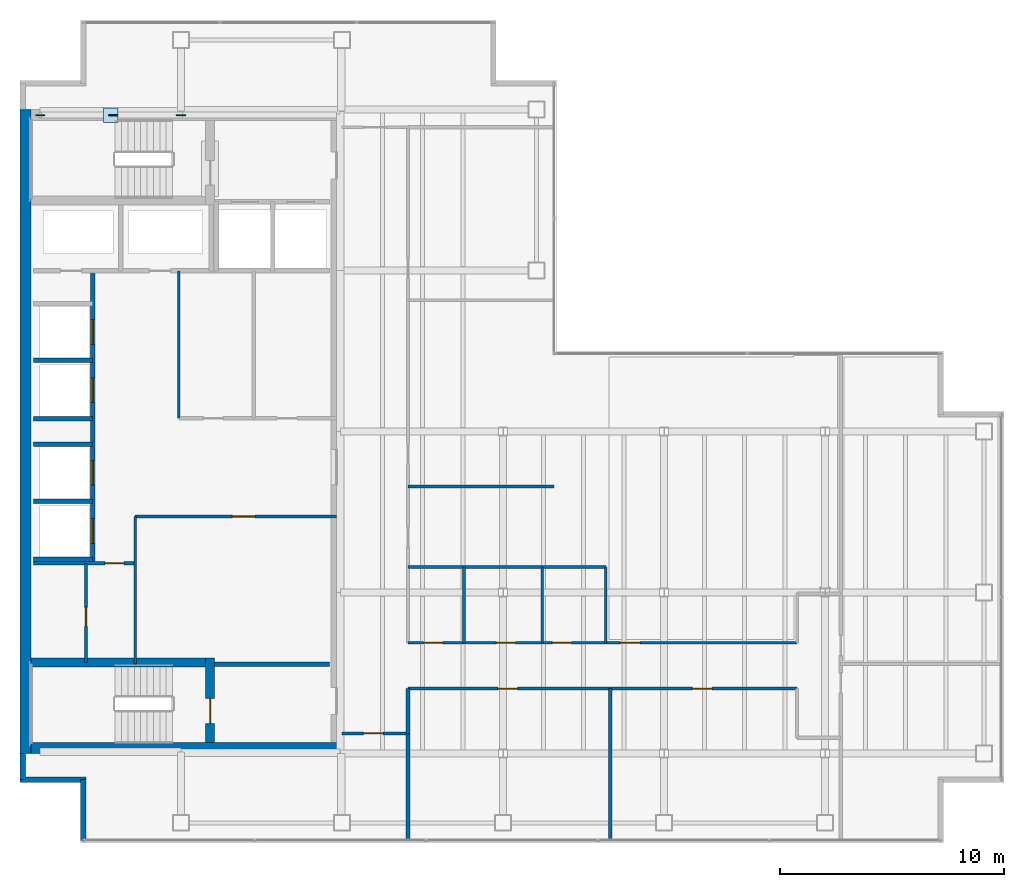
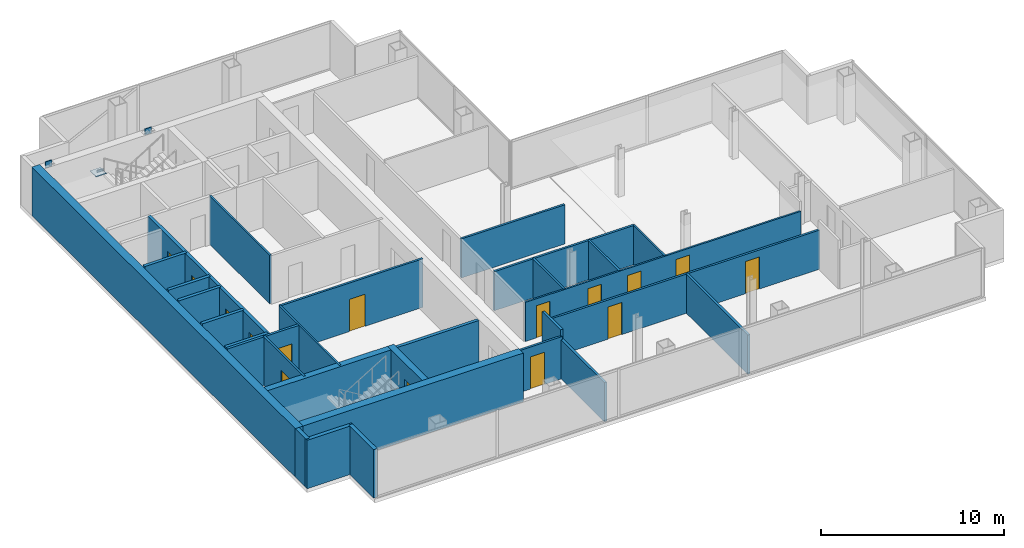
# One storey, part 20 of 23: 30 walls, 15 doors, 4 plates, 15 openings.
"""IFC4 building model written with IfcOpenShell, lengths in metres."""

from ifc_helpers import new_model, si_unit, direction, frame, frame_2d, origin, origin_2d, place, context, subcontext, project, spatial, rectangle, extrude, material, layer, layer_set, type_object, element, fill, save


model = new_model("IFC4")

# Units and contexts
model_context = context("Model", 3, precision=1e-05, world=origin(), true_north=direction((0.0, 1.0)))
body_context = subcontext(model_context, "Body", "Model", "MODEL_VIEW")
ifc_project = project(units=[si_unit("LENGTHUNIT", "METRE"), si_unit("AREAUNIT", "SQUARE_METRE"), si_unit("VOLUMEUNIT", "CUBIC_METRE"), si_unit("PLANEANGLEUNIT", "RADIAN"), si_unit("MASSUNIT", "GRAM", prefix="KILO")], contexts=[model_context])

# Site, building, storey
site_placement = place(None, origin())
site = spatial("IfcSite", under=ifc_project, at=site_placement, CompositionType="ELEMENT")
building_placement = place(site_placement, origin())
building = spatial("IfcBuilding", under=site, at=building_placement, Name="Cobrela Telecom Tower", CompositionType="ELEMENT")
storey_placement = place(building_placement, frame((0.0, 0.0, 225.75)))
storey = spatial("IfcBuildingStorey", under=building, at=storey_placement, Name="L58", CompositionType="ELEMENT", Elevation=225.75)

# Plates
ifc_material_1 = material(Name="Steel ASTM A572 Grade 50", Category="steel")
ifc_layer_1 = layer(ifc_material_1, 0.0419921875)
ifc_layer_set_1 = layer_set([ifc_layer_1], Name="Steel ASTM A572 Grade 50")
plate_type = type_object("IfcPlateType", Name="PLT-NODE-ND1", PredefinedType="USERDEFINED", material=ifc_layer_set_1)
for number, where, z_axis, x_axis, name in (
    (1, (7.199951171875, 35.75, 3.0751953125), (0.0, 0.0, 1.0), (1.0, 0.0, 0.0), "Steel node plate PLT-MBR-EXO-L58-N1-A-1"),
    (2, (4.173828125, 35.75, 1.349609375), (0.0, 0.0, 1.0), (-1.0, 0.0, 0.0), "Steel node plate PLT-MBR-EXO-L58-N1-B1-1"),
    (3, (0.89990234375, 35.75, 3.0751953125), (0.0, 0.0, 1.0), (-1.0, 0.0, 0.0), "Steel node plate PLT-MBR-EXO-L58-N1-B2-1"),
):
    element("IfcPlate", number, at=place(storey_placement, frame(where, z_axis=z_axis, x_axis=x_axis)), inside=storey, type_object=plate_type, Name=name, ObjectType="GUSSET PLATE", PredefinedType="USERDEFINED", context=body_context, shape_type="SweptSolid", body=[
        extrude(rectangle(XDim=0.409912109375, YDim=0.044921875, at=origin_2d()), origin(), (0.0, 0.0, 1.0), 0.409912109375),
    ])
plate_placement = place(storey_placement, frame((4.050048828125, 35.75, 1.59765625), z_axis=(0.0, 0.0, 1.0), x_axis=(1.0, 0.0, 0.0)))
element("IfcPlate", 4, at=plate_placement, inside=storey, type_object=plate_type, Name="L58 Core Flange Steel X-Brace Central X-Crossing Gusset Plate", ObjectType="GUSSET PLATE", PredefinedType="USERDEFINED", context=body_context, shape_type="SweptSolid", body=[
    extrude(rectangle(XDim=0.64990234375, YDim=0.64990234375, at=origin_2d()), origin(), (0.0, 0.0, 1.0), 0.044921875),
])

# Walls
ifc_material_2 = material(Name="Concrete C40/50", Category="concrete")
ifc_layer_2 = layer(ifc_material_2, 0.5)
ifc_layer_set_2 = layer_set([ifc_layer_2], Name="Concrete C40/50")
wall_type_1 = type_object("IfcWallType", Name="WALL-CORE-C40-500", PredefinedType="SHEAR", material=ifc_layer_set_2)
wall_1_placement = place(storey_placement, frame((0.25, 7.199951171875, 0.0), z_axis=(0.0, 0.0, 1.0), x_axis=(0.0, 1.0, 0.0)))
element("IfcWall", 5, at=wall_1_placement, inside=storey, type_object=wall_type_1, Name="L58 West Core Shear Wall", PredefinedType="SHEAR", context=body_context, shape_type="SweptSolid", body=[
    extrude(rectangle(XDim=28.800048828125, YDim=0.5, at=frame_2d((14.39990234375, 0.0))), origin(), (0.0, 0.0, 1.0), 3.239990234375),
])
wall_2_placement = place(storey_placement, frame((0.5, 7.449951171875, 0.0), z_axis=(0.0, 0.0, 1.0), x_axis=(1.0, 0.0, 0.0)))
element("IfcWall", 6, at=wall_2_placement, inside=storey, type_object=wall_type_1, Name="L58 South Core Shear Wall", PredefinedType="SHEAR", context=body_context, shape_type="SweptSolid", body=[
    extrude(rectangle(XDim=13.89990234375, YDim=0.5, at=frame_2d((6.949951171875, 0.0))), origin(), (0.0, 0.0, 1.0), 3.239990234375),
])
ifc_layer_3 = layer(ifc_material_2, 0.239990234375)
ifc_layer_set_3 = layer_set([ifc_layer_3], Name="Concrete C40/50")
wall_type_2 = type_object("IfcWallType", Name="WALL-EXT-300", PredefinedType="STANDARD", material=ifc_layer_set_3)
wall_3_placement = place(storey_placement, frame((2.830078125, 3.320068359375, 0.0), z_axis=(0.0, 0.0, 1.0), x_axis=(0.0, 1.0, 0.0)))
element("IfcWall", 7, at=wall_3_placement, inside=storey, type_object=wall_type_2, Name="L58 Insulated Facade Wall 01", PredefinedType="STANDARD", context=body_context, shape_type="SweptSolid", body=[
    extrude(rectangle(XDim=2.7099609375, YDim=0.239990234375, at=frame_2d((1.35498046875, 0.0))), origin(), (0.0, 0.0, 1.0), 3.239990234375),
])
wall_4_placement = place(storey_placement, frame((2.949951171875, 6.030029296875, 0.0), z_axis=(0.0, 0.0, 1.0), x_axis=(-1.0, 0.0, 0.0)))
element("IfcWall", 8, at=wall_4_placement, inside=storey, type_object=wall_type_2, Name="L58 Insulated Facade Wall 02", PredefinedType="STANDARD", context=body_context, shape_type="SweptSolid", body=[
    extrude(rectangle(XDim=2.949951171875, YDim=0.239990234375, at=frame_2d((1.47509765625, 0.0))), origin(), (0.0, 0.0, 1.0), 3.239990234375),
])
wall_5_placement = place(storey_placement, frame((0.1201171875, 6.030029296875, 0.0), z_axis=(0.0, 0.0, 1.0), x_axis=(0.0, 1.0, 0.0)))
element("IfcWall", 9, at=wall_5_placement, inside=storey, type_object=wall_type_2, Name="L58 Insulated Facade Wall 03", PredefinedType="STANDARD", context=body_context, shape_type="SweptSolid", body=[
    extrude(rectangle(XDim=1.169921875, YDim=0.239990234375, at=frame_2d((0.5849609375, 0.0))), origin(), (0.0, 0.0, 1.0), 3.239990234375),
])
ifc_material_3 = material(Name="Fire-Rated Gypsum Plasterboard")
ifc_layer_4 = layer(ifc_material_3, 0.110107421875)
ifc_layer_set_4 = layer_set([ifc_layer_4], Name="Fire-Rated Gypsum Plasterboard")
wall_type_3 = type_object("IfcWallType", Name="WALL-PART-110", PredefinedType="PARTITIONING", material=ifc_layer_set_4)
wall_6_placement = place(storey_placement, frame((7.10009765625, 22.199951171875, 0.0), z_axis=(0.0, 0.0, 1.0), x_axis=(0.0, 1.0, 0.0)))
element("IfcWall", 10, at=wall_6_placement, inside=storey, type_object=wall_type_3, Name="L58 Interior Partition CW-RECL-W", PredefinedType="PARTITIONING", context=body_context, shape_type="SweptSolid", body=[
    extrude(rectangle(XDim=6.580078125, YDim=0.110107421875, at=frame_2d((3.2900390625, 0.0))), origin(), (0.0, 0.0, 1.0), 3.239990234375),
])
wall_7_placement = place(storey_placement, frame((5.14990234375, 11.199951171875, 0.0), z_axis=(0.0, 0.0, 1.0), x_axis=(0.0, 1.0, 0.0)))
element("IfcWall", 11, at=wall_7_placement, inside=storey, type_object=wall_type_3, Name="L58 Interior Partition CW-RECM-W", PredefinedType="PARTITIONING", context=body_context, shape_type="SweptSolid", body=[
    extrude(rectangle(XDim=6.60009765625, YDim=0.110107421875, at=frame_2d((3.300048828125, 0.0))), origin(), (0.0, 0.0, 1.0), 3.239990234375),
])

# Wall, openings, doors
wall_8_placement = place(storey_placement, frame((17.35009765625, 12.14990234375, 0.0), z_axis=(0.0, 0.0, 1.0), x_axis=(1.0, 0.0, 0.0)))
wall_8 = element("IfcWall", 12, at=wall_8_placement, inside=storey, type_object=wall_type_3, Name="L58 Interior Partition W-C-HN", PredefinedType="PARTITIONING", context=body_context, shape_type="SweptSolid", body=[
    extrude(rectangle(XDim=17.39990234375, YDim=0.110107421875, at=frame_2d((8.699951171875, 0.0))), origin(), (0.0, 0.0, 1.0), 2.613037109375),
])
opening_1_placement = place(wall_8_placement, frame((0.699951171875, 0.0, 0.0)))
opening_1 = element("IfcOpeningElement", 13, at=opening_1_placement, cuts=wall_8, Name="Opening DR-11", PredefinedType="OPENING", context=body_context, shape_type="SweptSolid", body=[
    extrude(rectangle(XDim=0.85009765625, YDim=2.14990234375, at=frame_2d((0.425048828125, 1.074951171875))), frame((0.0, 0.06689453125, 0.0), z_axis=(0.0, -1.0, 0.0), x_axis=(1.0, 0.0, 0.0)), (0.0, 0.0, 1.0), 0.134033203125),
])
opening_2_placement = place(wall_8_placement, frame((3.949951171875, 0.0, 0.0)))
opening_2 = element("IfcOpeningElement", 14, at=opening_2_placement, cuts=wall_8, Name="Opening DR-11", PredefinedType="OPENING", context=body_context, shape_type="SweptSolid", body=[
    extrude(rectangle(XDim=0.85009765625, YDim=2.14990234375, at=frame_2d((0.425048828125, 1.074951171875))), frame((0.0, 0.06689453125, 0.0), z_axis=(0.0, -1.0, 0.0), x_axis=(1.0, 0.0, 0.0)), (0.0, 0.0, 1.0), 0.134033203125),
])
opening_3_placement = place(wall_8_placement, frame((6.4599609375, 0.0, 0.0)))
opening_3 = element("IfcOpeningElement", 15, at=opening_3_placement, cuts=wall_8, Name="Opening DR-11", PredefinedType="OPENING", context=body_context, shape_type="SweptSolid", body=[
    extrude(rectangle(XDim=0.85009765625, YDim=2.14990234375, at=frame_2d((0.425048828125, 1.074951171875))), frame((0.0, 0.06689453125, 0.0), z_axis=(0.0, -1.0, 0.0), x_axis=(1.0, 0.0, 0.0)), (0.0, 0.0, 1.0), 0.134033203125),
])
opening_4_placement = place(wall_8_placement, frame((9.5, 0.0, 0.0)))
opening_4 = element("IfcOpeningElement", 16, at=opening_4_placement, cuts=wall_8, Name="Opening DR-39", PredefinedType="OPENING", context=body_context, shape_type="SweptSolid", body=[
    extrude(rectangle(XDim=0.8798828125, YDim=2.14990234375, at=frame_2d((0.43994140625, 1.074951171875))), frame((0.0, 0.06689453125, 0.0), z_axis=(0.0, -1.0, 0.0), x_axis=(1.0, 0.0, 0.0)), (0.0, 0.0, 1.0), 0.134033203125),
])
ifc_material_4 = material(Name="Solid Engineered Oak Timber", Category="wood")
door_type_1 = type_object("IfcDoorType", Name="DOOR-INT-850", OperationType="SINGLE_SWING_LEFT", PredefinedType="DOOR", material=ifc_material_4)
door_1_placement = place(opening_1_placement, origin())
door_1 = element("IfcDoor", 17, at=door_1_placement, inside=storey, type_object=door_type_1, Name="L58 Door DR-11", OperationType="SINGLE_SWING_LEFT", OverallHeight=2.14990234375, OverallWidth=0.85009765625, PredefinedType="DOOR", context=body_context, shape_type="SweptSolid", body=[
    extrude(rectangle(XDim=0.85009765625, YDim=2.14990234375, at=frame_2d((0.425048828125, 1.074951171875))), frame((0.0, 0.02490234375, 0.0), z_axis=(0.0, -1.0, 0.0), x_axis=(1.0, 0.0, 0.0)), (0.0, 0.0, 1.0), 0.050048828125),
])
fill(opening_1, door_1)
door_2_placement = place(opening_2_placement, origin())
door_2 = element("IfcDoor", 18, at=door_2_placement, inside=storey, type_object=door_type_1, Name="L58 Door DR-11", OperationType="SINGLE_SWING_RIGHT", OverallHeight=2.14990234375, OverallWidth=0.85009765625, PredefinedType="DOOR", context=body_context, shape_type="SweptSolid", body=[
    extrude(rectangle(XDim=0.85009765625, YDim=2.14990234375, at=frame_2d((0.425048828125, 1.074951171875))), frame((0.0, 0.02490234375, 0.0), z_axis=(0.0, -1.0, 0.0), x_axis=(1.0, 0.0, 0.0)), (0.0, 0.0, 1.0), 0.050048828125),
])
fill(opening_2, door_2)
door_3_placement = place(opening_3_placement, origin())
door_3 = element("IfcDoor", 19, at=door_3_placement, inside=storey, type_object=door_type_1, Name="L58 Door DR-11", OperationType="SINGLE_SWING_LEFT", OverallHeight=2.14990234375, OverallWidth=0.85009765625, PredefinedType="DOOR", context=body_context, shape_type="SweptSolid", body=[
    extrude(rectangle(XDim=0.85009765625, YDim=2.14990234375, at=frame_2d((0.425048828125, 1.074951171875))), frame((0.0, 0.02490234375, 0.0), z_axis=(0.0, -1.0, 0.0), x_axis=(1.0, 0.0, 0.0)), (0.0, 0.0, 1.0), 0.050048828125),
])
fill(opening_3, door_3)
door_type_2 = type_object("IfcDoorType", Name="DOOR-INT-880", OperationType="SINGLE_SWING_LEFT", PredefinedType="DOOR", material=ifc_material_4)
door_4_placement = place(opening_4_placement, origin())
door_4 = element("IfcDoor", 20, at=door_4_placement, inside=storey, type_object=door_type_2, Name="L58 Door DR-39", OperationType="SINGLE_SWING_RIGHT", OverallHeight=2.14990234375, OverallWidth=0.8798828125, PredefinedType="DOOR", context=body_context, shape_type="SweptSolid", body=[
    extrude(rectangle(XDim=0.8798828125, YDim=2.14990234375, at=frame_2d((0.43994140625, 1.074951171875))), frame((0.0, 0.02490234375, 0.0), z_axis=(0.0, -1.0, 0.0), x_axis=(1.0, 0.0, 0.0)), (0.0, 0.0, 1.0), 0.050048828125),
])
fill(opening_4, door_4)

# Wall
wall_9_placement = place(storey_placement, frame((26.199951171875, 12.14990234375, 0.0), z_axis=(0.0, 0.0, 1.0), x_axis=(0.0, 1.0, 0.0)))
element("IfcWall", 21, at=wall_9_placement, inside=storey, type_object=wall_type_3, Name="L58 Interior Partition W-WC-R", PredefinedType="PARTITIONING", context=body_context, shape_type="SweptSolid", body=[
    extrude(rectangle(XDim=3.400146484375, YDim=0.110107421875, at=frame_2d((1.7001953125, 0.0))), origin(), (0.0, 0.0, 1.0), 2.613037109375),
])

# Wall, opening, door
ifc_layer_5 = layer(ifc_material_3, 0.125)
ifc_layer_set_5 = layer_set([ifc_layer_5], Name="Fire-Rated Gypsum Plasterboard")
wall_type_4 = type_object("IfcWallType", Name="WALL-PART-125", PredefinedType="PARTITIONING", material=ifc_layer_set_5)
wall_10_placement = place(storey_placement, frame((2.949951171875, 11.280029296875, 0.0), z_axis=(0.0, 0.0, 1.0), x_axis=(0.0, 1.0, 0.0)))
wall_10 = element("IfcWall", 22, at=wall_10_placement, inside=storey, type_object=wall_type_4, Name="L58 Interior Partition CW-FK1-V", PredefinedType="PARTITIONING", context=body_context, shape_type="SweptSolid", body=[
    extrude(rectangle(XDim=4.419921875, YDim=0.125, at=frame_2d((2.2099609375, 0.0))), origin(), (0.0, 0.0, 1.0), 3.239990234375),
])
opening_5_placement = place(wall_10_placement, frame((1.60009765625, 0.0, 0.0)))
opening_5 = element("IfcOpeningElement", 23, at=opening_5_placement, cuts=wall_10, Name="Opening DR-11", PredefinedType="OPENING", context=body_context, shape_type="SweptSolid", body=[
    extrude(rectangle(XDim=0.85009765625, YDim=2.14990234375, at=frame_2d((0.425048828125, 1.074951171875))), frame((0.0, 0.074462890625, 0.0), z_axis=(0.0, -1.0, 0.0), x_axis=(1.0, 0.0, 0.0)), (0.0, 0.0, 1.0), 0.14892578125),
])
door_5_placement = place(opening_5_placement, origin())
door_5 = element("IfcDoor", 24, at=door_5_placement, inside=storey, type_object=door_type_1, Name="L58 Door DR-11", OperationType="SINGLE_SWING_RIGHT", OverallHeight=2.14990234375, OverallWidth=0.85009765625, PredefinedType="DOOR", context=body_context, shape_type="SweptSolid", body=[
    extrude(rectangle(XDim=0.85009765625, YDim=2.14990234375, at=frame_2d((0.425048828125, 1.074951171875))), frame((0.0, 0.02490234375, 0.0), z_axis=(0.0, -1.0, 0.0), x_axis=(1.0, 0.0, 0.0)), (0.0, 0.0, 1.0), 0.050048828125),
])
fill(opening_5, door_5)

# Walls
for number, where, z_axis, x_axis, name in (
    (25, (19.85009765625, 12.14990234375, 0.0), (0.0, 0.0, 1.0), (0.0, 1.0, 0.0), "L58 Interior Partition W-WCV-1"),
    (26, (23.35009765625, 12.14990234375, 0.0), (0.0, 0.0, 1.0), (0.0, 1.0, 0.0), "L58 Interior Partition W-WCV-2"),
):
    element("IfcWall", number, at=place(storey_placement, frame(where, z_axis=z_axis, x_axis=x_axis)), inside=storey, type_object=wall_type_4, Name=name, PredefinedType="PARTITIONING", context=body_context, shape_type="SweptSolid", body=[
        extrude(rectangle(XDim=3.400146484375, YDim=0.125, at=frame_2d((1.7001953125, 0.0))), origin(), (0.0, 0.0, 1.0), 2.613037109375),
    ])

# Wall, opening, door
ifc_layer_6 = layer(ifc_material_3, 0.135009765625)
ifc_layer_set_6 = layer_set([ifc_layer_6], Name="Fire-Rated Gypsum Plasterboard")
wall_type_5 = type_object("IfcWallType", Name="WALL-PART-135", PredefinedType="PARTITIONING", material=ifc_layer_set_6)
wall_11_placement = place(storey_placement, frame((5.14990234375, 17.800048828125, 0.0), z_axis=(0.0, 0.0, 1.0), x_axis=(1.0, 0.0, 0.0)))
wall_11 = element("IfcWall", 27, at=wall_11_placement, inside=storey, type_object=wall_type_5, Name="L58 Interior Partition CW-RECM-N", PredefinedType="PARTITIONING", context=body_context, shape_type="SweptSolid", body=[
    extrude(rectangle(XDim=9.0, YDim=0.135009765625, at=frame_2d((4.5, 0.0))), origin(), (0.0, 0.0, 1.0), 3.239990234375),
])
opening_6_placement = place(wall_11_placement, frame((4.35009765625, 0.0, 0.0)))
opening_6 = element("IfcOpeningElement", 28, at=opening_6_placement, cuts=wall_11, Name="Opening DR-31", PredefinedType="OPENING", context=body_context, shape_type="SweptSolid", body=[
    extrude(rectangle(XDim=1.0, YDim=2.14990234375, at=frame_2d((0.5, 1.074951171875))), frame((0.0, 0.07958984375, 0.0), z_axis=(0.0, -1.0, 0.0), x_axis=(1.0, 0.0, 0.0)), (0.0, 0.0, 1.0), 0.158935546875),
])
door_type_3 = type_object("IfcDoorType", Name="DOOR-INT-1000", OperationType="SINGLE_SWING_LEFT", PredefinedType="DOOR", material=ifc_material_4)
door_6_placement = place(opening_6_placement, origin())
door_6 = element("IfcDoor", 29, at=door_6_placement, inside=storey, type_object=door_type_3, Name="L58 Door DR-31", OperationType="SINGLE_SWING_LEFT", OverallHeight=2.14990234375, OverallWidth=1.0, PredefinedType="DOOR", context=body_context, shape_type="SweptSolid", body=[
    extrude(rectangle(XDim=1.0, YDim=2.14990234375, at=frame_2d((0.5, 1.074951171875))), frame((0.0, 0.02490234375, 0.0), z_axis=(0.0, -1.0, 0.0), x_axis=(1.0, 0.0, 0.0)), (0.0, 0.0, 1.0), 0.050048828125),
])
fill(opening_6, door_6)

wall_12_placement = place(storey_placement, frame((14.39990234375, 8.10009765625, 0.0), z_axis=(0.0, 0.0, 1.0), x_axis=(1.0, 0.0, 0.0)))
wall_12 = element("IfcWall", 30, at=wall_12_placement, inside=storey, type_object=wall_type_5, Name="L58 Interior Partition W-C-S0", PredefinedType="PARTITIONING", context=body_context, shape_type="SweptSolid", body=[
    extrude(rectangle(XDim=2.9501953125, YDim=0.135009765625, at=frame_2d((1.47509765625, 0.0))), origin(), (0.0, 0.0, 1.0), 2.80810546875),
])
opening_7_placement = place(wall_12_placement, frame((0.949951171875, 0.0, 0.0)))
opening_7 = element("IfcOpeningElement", 31, at=opening_7_placement, cuts=wall_12, Name="Opening DR-39", PredefinedType="OPENING", context=body_context, shape_type="SweptSolid", body=[
    extrude(rectangle(XDim=0.8798828125, YDim=2.14990234375, at=frame_2d((0.43994140625, 1.074951171875))), frame((0.0, 0.07958984375, 0.0), z_axis=(0.0, -1.0, 0.0), x_axis=(1.0, 0.0, 0.0)), (0.0, 0.0, 1.0), 0.158935546875),
])
door_7_placement = place(opening_7_placement, origin())
door_7 = element("IfcDoor", 32, at=door_7_placement, inside=storey, type_object=door_type_2, Name="L58 Door DR-39", OperationType="SINGLE_SWING_RIGHT", OverallHeight=2.14990234375, OverallWidth=0.8798828125, PredefinedType="DOOR", context=body_context, shape_type="SweptSolid", body=[
    extrude(rectangle(XDim=0.8798828125, YDim=2.14990234375, at=frame_2d((0.43994140625, 1.074951171875))), frame((0.0, 0.02490234375, 0.0), z_axis=(0.0, -1.0, 0.0), x_axis=(1.0, 0.0, 0.0)), (0.0, 0.0, 1.0), 0.050048828125),
])
fill(opening_7, door_7)

# Wall, openings, doors
wall_13_placement = place(storey_placement, frame((17.35009765625, 10.10009765625, 0.0), z_axis=(0.0, 0.0, 1.0), x_axis=(1.0, 0.0, 0.0)))
wall_13 = element("IfcWall", 33, at=wall_13_placement, inside=storey, type_object=wall_type_5, Name="L58 Interior Partition W-C-HS", PredefinedType="PARTITIONING", context=body_context, shape_type="SweptSolid", body=[
    extrude(rectangle(XDim=17.39990234375, YDim=0.135009765625, at=frame_2d((8.699951171875, 0.0))), origin(), (0.0, 0.0, 1.0), 2.613037109375),
])
opening_8_placement = place(wall_13_placement, frame((4.02001953125, 0.0, 0.0)))
opening_8 = element("IfcOpeningElement", 34, at=opening_8_placement, cuts=wall_13, Name="Opening DR-39", PredefinedType="OPENING", context=body_context, shape_type="SweptSolid", body=[
    extrude(rectangle(XDim=0.8798828125, YDim=2.14990234375, at=frame_2d((0.43994140625, 1.074951171875))), frame((0.0, 0.07958984375, 0.0), z_axis=(0.0, -1.0, 0.0), x_axis=(1.0, 0.0, 0.0)), (0.0, 0.0, 1.0), 0.158935546875),
])
opening_9_placement = place(wall_13_placement, frame((12.719970703125, 0.0, 0.0)))
opening_9 = element("IfcOpeningElement", 35, at=opening_9_placement, cuts=wall_13, Name="Opening DR-39", PredefinedType="OPENING", context=body_context, shape_type="SweptSolid", body=[
    extrude(rectangle(XDim=0.8798828125, YDim=2.14990234375, at=frame_2d((0.43994140625, 1.074951171875))), frame((0.0, 0.07958984375, 0.0), z_axis=(0.0, -1.0, 0.0), x_axis=(1.0, 0.0, 0.0)), (0.0, 0.0, 1.0), 0.158935546875),
])
door_8_placement = place(opening_8_placement, origin())
door_8 = element("IfcDoor", 36, at=door_8_placement, inside=storey, type_object=door_type_2, Name="L58 Door DR-39", OperationType="SINGLE_SWING_LEFT", OverallHeight=2.14990234375, OverallWidth=0.8798828125, PredefinedType="DOOR", context=body_context, shape_type="SweptSolid", body=[
    extrude(rectangle(XDim=0.8798828125, YDim=2.14990234375, at=frame_2d((0.43994140625, 1.074951171875))), frame((0.0, 0.02490234375, 0.0), z_axis=(0.0, -1.0, 0.0), x_axis=(1.0, 0.0, 0.0)), (0.0, 0.0, 1.0), 0.050048828125),
])
fill(opening_8, door_8)
door_9_placement = place(opening_9_placement, origin())
door_9 = element("IfcDoor", 37, at=door_9_placement, inside=storey, type_object=door_type_2, Name="L58 Door DR-39", OperationType="SINGLE_SWING_RIGHT", OverallHeight=2.14990234375, OverallWidth=0.8798828125, PredefinedType="DOOR", context=body_context, shape_type="SweptSolid", body=[
    extrude(rectangle(XDim=0.8798828125, YDim=2.14990234375, at=frame_2d((0.43994140625, 1.074951171875))), frame((0.0, 0.02490234375, 0.0), z_axis=(0.0, -1.0, 0.0), x_axis=(1.0, 0.0, 0.0)), (0.0, 0.0, 1.0), 0.050048828125),
])
fill(opening_9, door_9)

# Walls
wall_14_placement = place(storey_placement, frame((17.35009765625, 15.550048828125, 0.0), z_axis=(0.0, 0.0, 1.0), x_axis=(1.0, 0.0, 0.0)))
element("IfcWall", 38, at=wall_14_placement, inside=storey, type_object=wall_type_5, Name="L58 Interior Partition W-WC-N", PredefinedType="PARTITIONING", context=body_context, shape_type="SweptSolid", body=[
    extrude(rectangle(XDim=8.849853515625, YDim=0.135009765625, at=frame_2d((4.4248046875, 0.0))), origin(), (0.0, 0.0, 1.0), 2.613037109375),
])
wall_15_placement = place(storey_placement, frame((17.35009765625, 19.14990234375, 0.0), z_axis=(0.0, 0.0, 1.0), x_axis=(1.0, 0.0, 0.0)))
element("IfcWall", 39, at=wall_15_placement, inside=storey, type_object=wall_type_5, Name="L58 Interior Partition W-NPAN-T", PredefinedType="PARTITIONING", context=body_context, shape_type="SweptSolid", body=[
    extrude(rectangle(XDim=6.52978515625, YDim=0.135009765625, at=frame_2d((3.264892578125, 0.0))), origin(), (0.0, 0.0, 1.0), 2.613037109375),
])
ifc_layer_7 = layer(ifc_material_3, 0.14990234375)
ifc_layer_set_7 = layer_set([ifc_layer_7], Name="Fire-Rated Gypsum Plasterboard")
wall_type_6 = type_object("IfcWallType", Name="WALL-PART-150", PredefinedType="PARTITIONING", material=ifc_layer_set_7)
wall_16_placement = place(storey_placement, frame((26.39990234375, 3.320068359375, 0.0), z_axis=(0.0, 0.0, 1.0), x_axis=(0.0, 1.0, 0.0)))
element("IfcWall", 40, at=wall_16_placement, inside=storey, type_object=wall_type_6, Name="L58 Interior Partition W-SV-1", PredefinedType="PARTITIONING", context=body_context, shape_type="SweptSolid", body=[
    extrude(rectangle(XDim=6.780029296875, YDim=0.14990234375, at=frame_2d((3.39013671875, 0.0))), origin(), (0.0, 0.0, 1.0), 2.613037109375),
])

# Wall, opening, door
ifc_layer_8 = layer(ifc_material_3, 0.159912109375)
ifc_layer_set_8 = layer_set([ifc_layer_8], Name="Fire-Rated Gypsum Plasterboard")
wall_type_7 = type_object("IfcWallType", Name="WALL-PART-160", PredefinedType="PARTITIONING", material=ifc_layer_set_8)
wall_17_placement = place(storey_placement, frame((0.60009765625, 15.699951171875, 0.0), z_axis=(0.0, 0.0, 1.0), x_axis=(1.0, 0.0, 0.0)))
wall_17 = element("IfcWall", 41, at=wall_17_placement, inside=storey, type_object=wall_type_7, Name="L58 Interior Partition CW-FLEX-N", PredefinedType="PARTITIONING", context=body_context, shape_type="SweptSolid", body=[
    extrude(rectangle(XDim=4.5498046875, YDim=0.159912109375, at=frame_2d((2.27490234375, 0.0))), origin(), (0.0, 0.0, 1.0), 3.239990234375),
])
opening_10_placement = place(wall_17_placement, frame((3.199951171875, 0.0, 0.0)))
opening_10 = element("IfcOpeningElement", 42, at=opening_10_placement, cuts=wall_17, Name="Opening DR-11", PredefinedType="OPENING", context=body_context, shape_type="SweptSolid", body=[
    extrude(rectangle(XDim=0.85009765625, YDim=2.14990234375, at=frame_2d((0.425048828125, 1.074951171875))), frame((0.0, 0.091796875, 0.0), z_axis=(0.0, -1.0, 0.0), x_axis=(1.0, 0.0, 0.0)), (0.0, 0.0, 1.0), 0.183837890625),
])
door_10_placement = place(opening_10_placement, origin())
door_10 = element("IfcDoor", 43, at=door_10_placement, inside=storey, type_object=door_type_1, Name="L58 Door DR-11", OperationType="SINGLE_SWING_LEFT", OverallHeight=2.14990234375, OverallWidth=0.85009765625, PredefinedType="DOOR", context=body_context, shape_type="SweptSolid", body=[
    extrude(rectangle(XDim=0.85009765625, YDim=2.14990234375, at=frame_2d((0.425048828125, 1.074951171875))), frame((0.0, 0.02490234375, 0.0), z_axis=(0.0, -1.0, 0.0), x_axis=(1.0, 0.0, 0.0)), (0.0, 0.0, 1.0), 0.050048828125),
])
fill(opening_10, door_10)

# Walls
wall_18_placement = place(storey_placement, frame((17.35009765625, 8.10009765625, 0.0), z_axis=(0.0, 0.0, 1.0), x_axis=(0.0, 1.0, 0.0)))
element("IfcWall", 44, at=wall_18_placement, inside=storey, type_object=wall_type_7, Name="L58 Interior Partition W-C-E1", PredefinedType="PARTITIONING", context=body_context, shape_type="SweptSolid", body=[
    extrude(rectangle(XDim=2.0, YDim=0.159912109375, at=frame_2d((1.0, 0.0))), origin(), (0.0, 0.0, 1.0), 3.239990234375),
])
wall_19_placement = place(storey_placement, frame((17.35009765625, 3.320068359375, 0.0), z_axis=(0.0, 0.0, 1.0), x_axis=(0.0, 1.0, 0.0)))
element("IfcWall", 45, at=wall_19_placement, inside=storey, type_object=wall_type_7, Name="L58 Interior Partition W-SW-E", PredefinedType="PARTITIONING", context=body_context, shape_type="SweptSolid", body=[
    extrude(rectangle(XDim=4.780029296875, YDim=0.159912109375, at=frame_2d((2.39013671875, 0.0))), origin(), (0.0, 0.0, 1.0), 2.613037109375),
])
ifc_layer_9 = layer(ifc_material_3, 0.199951171875)
ifc_layer_set_9 = layer_set([ifc_layer_9], Name="Fire-Rated Gypsum Plasterboard")
wall_type_8 = type_object("IfcWallType", Name="WALL-SHAFT-200", PredefinedType="PARTITIONING", material=ifc_layer_set_9)
wall_20_placement = place(storey_placement, frame((8.699951171875, 11.199951171875, 0.0), z_axis=(0.0, 0.0, 1.0), x_axis=(1.0, 0.0, 0.0)))
element("IfcWall", 46, at=wall_20_placement, inside=storey, type_object=wall_type_8, Name="L58 Shaft Enclosure CW-ST2L-N", PredefinedType="PARTITIONING", context=body_context, shape_type="SweptSolid", body=[
    extrude(rectangle(XDim=5.150146484375, YDim=0.199951171875, at=frame_2d((2.5751953125, 0.0))), origin(), (0.0, 0.0, 1.0), 3.239990234375),
])

# Wall, openings, doors
wall_21_placement = place(storey_placement, frame((3.25, 15.699951171875, 0.0), z_axis=(0.0, 0.0, 1.0), x_axis=(0.0, 1.0, 0.0)))
wall_21 = element("IfcWall", 47, at=wall_21_placement, inside=storey, type_object=wall_type_8, Name="L58 Shaft Enclosure CW-PLH-E", PredefinedType="PARTITIONING", context=body_context, shape_type="SweptSolid", body=[
    extrude(rectangle(XDim=13.080078125, YDim=0.199951171875, at=frame_2d((6.5400390625, 0.0))), origin(), (0.0, 0.0, 1.0), 3.239990234375),
])
opening_11_placement = place(wall_21_placement, frame((0.89990234375, 0.0, 0.0)))
opening_11 = element("IfcOpeningElement", 48, at=opening_11_placement, cuts=wall_21, Name="Opening LD-1", PredefinedType="OPENING", context=body_context, shape_type="SweptSolid", body=[
    extrude(rectangle(XDim=1.10009765625, YDim=2.199951171875, at=frame_2d((0.550048828125, 1.10009765625))), frame((0.0, 0.11181640625, 0.0), z_axis=(0.0, -1.0, 0.0), x_axis=(1.0, 0.0, 0.0)), (0.0, 0.0, 1.0), 0.223876953125),
])
opening_12_placement = place(wall_21_placement, frame((3.5, 0.0, 0.0)))
opening_12 = element("IfcOpeningElement", 49, at=opening_12_placement, cuts=wall_21, Name="Opening LD-1", PredefinedType="OPENING", context=body_context, shape_type="SweptSolid", body=[
    extrude(rectangle(XDim=1.10009765625, YDim=2.199951171875, at=frame_2d((0.550048828125, 1.10009765625))), frame((0.0, 0.11181640625, 0.0), z_axis=(0.0, -1.0, 0.0), x_axis=(1.0, 0.0, 0.0)), (0.0, 0.0, 1.0), 0.223876953125),
])
opening_13_placement = place(wall_21_placement, frame((7.199951171875, 0.0, 0.0)))
opening_13 = element("IfcOpeningElement", 50, at=opening_13_placement, cuts=wall_21, Name="Opening LD-1", PredefinedType="OPENING", context=body_context, shape_type="SweptSolid", body=[
    extrude(rectangle(XDim=1.10009765625, YDim=2.199951171875, at=frame_2d((0.550048828125, 1.10009765625))), frame((0.0, 0.11181640625, 0.0), z_axis=(0.0, -1.0, 0.0), x_axis=(1.0, 0.0, 0.0)), (0.0, 0.0, 1.0), 0.223876953125),
])
opening_14_placement = place(wall_21_placement, frame((9.800048828125, 0.0, 0.0)))
opening_14 = element("IfcOpeningElement", 51, at=opening_14_placement, cuts=wall_21, Name="Opening LD-1", PredefinedType="OPENING", context=body_context, shape_type="SweptSolid", body=[
    extrude(rectangle(XDim=1.10009765625, YDim=2.199951171875, at=frame_2d((0.550048828125, 1.10009765625))), frame((0.0, 0.11181640625, 0.0), z_axis=(0.0, -1.0, 0.0), x_axis=(1.0, 0.0, 0.0)), (0.0, 0.0, 1.0), 0.223876953125),
])
ifc_material_5 = material(Name="Steel ASTM A36", Category="steel")
door_type_4 = type_object("IfcDoorType", Name="DOOR-LD-PL", OperationType="SINGLE_SWING_LEFT", PredefinedType="DOOR", material=ifc_material_5)
door_11_placement = place(opening_11_placement, origin())
door_11 = element("IfcDoor", 52, at=door_11_placement, inside=storey, type_object=door_type_4, Name="L58 Lift Landing Door LD-1", OperationType="DOUBLE_DOOR_SLIDING", OverallHeight=2.199951171875, OverallWidth=1.10009765625, PredefinedType="DOOR", context=body_context, shape_type="SweptSolid", body=[
    extrude(rectangle(XDim=1.10009765625, YDim=2.199951171875, at=frame_2d((0.550048828125, 1.10009765625))), frame((0.0, 0.02490234375, 0.0), z_axis=(0.0, -1.0, 0.0), x_axis=(1.0, 0.0, 0.0)), (0.0, 0.0, 1.0), 0.050048828125),
])
fill(opening_11, door_11)
door_12_placement = place(opening_12_placement, origin())
door_12 = element("IfcDoor", 53, at=door_12_placement, inside=storey, type_object=door_type_4, Name="L58 Lift Landing Door LD-1", OperationType="DOUBLE_DOOR_SLIDING", OverallHeight=2.199951171875, OverallWidth=1.10009765625, PredefinedType="DOOR", context=body_context, shape_type="SweptSolid", body=[
    extrude(rectangle(XDim=1.10009765625, YDim=2.199951171875, at=frame_2d((0.550048828125, 1.10009765625))), frame((0.0, 0.02490234375, 0.0), z_axis=(0.0, -1.0, 0.0), x_axis=(1.0, 0.0, 0.0)), (0.0, 0.0, 1.0), 0.050048828125),
])
fill(opening_12, door_12)
door_13_placement = place(opening_13_placement, origin())
door_13 = element("IfcDoor", 54, at=door_13_placement, inside=storey, type_object=door_type_4, Name="L58 Lift Landing Door LD-1", OperationType="DOUBLE_DOOR_SLIDING", OverallHeight=2.199951171875, OverallWidth=1.10009765625, PredefinedType="DOOR", context=body_context, shape_type="SweptSolid", body=[
    extrude(rectangle(XDim=1.10009765625, YDim=2.199951171875, at=frame_2d((0.550048828125, 1.10009765625))), frame((0.0, 0.02490234375, 0.0), z_axis=(0.0, -1.0, 0.0), x_axis=(1.0, 0.0, 0.0)), (0.0, 0.0, 1.0), 0.050048828125),
])
fill(opening_13, door_13)
door_14_placement = place(opening_14_placement, origin())
door_14 = element("IfcDoor", 55, at=door_14_placement, inside=storey, type_object=door_type_4, Name="L58 Lift Landing Door LD-1", OperationType="DOUBLE_DOOR_SLIDING", OverallHeight=2.199951171875, OverallWidth=1.10009765625, PredefinedType="DOOR", context=body_context, shape_type="SweptSolid", body=[
    extrude(rectangle(XDim=1.10009765625, YDim=2.199951171875, at=frame_2d((0.550048828125, 1.10009765625))), frame((0.0, 0.02490234375, 0.0), z_axis=(0.0, -1.0, 0.0), x_axis=(1.0, 0.0, 0.0)), (0.0, 0.0, 1.0), 0.050048828125),
])
fill(opening_14, door_14)

# Walls
for number, where, z_axis, x_axis, name in (
    (56, (0.60009765625, 15.8798828125, 0.0), (0.0, 0.0, 1.0), (1.0, 0.0, 0.0), "L58 Shaft Enclosure CW-PLH-D9"),
    (57, (0.60009765625, 18.47998046875, 0.0), (0.0, 0.0, 1.0), (1.0, 0.0, 0.0), "L58 Shaft Enclosure CW-PLH-D10"),
    (58, (0.60009765625, 22.179931640625, 0.0), (0.0, 0.0, 1.0), (1.0, 0.0, 0.0), "L58 Shaft Enclosure CW-PLH-D11"),
    (59, (0.60009765625, 24.780029296875, 0.0), (0.0, 0.0, 1.0), (1.0, 0.0, 0.0), "L58 Shaft Enclosure CW-PLH-D12"),
    (60, (0.60009765625, 21.02001953125, 0.0), (0.0, 0.0, 1.0), (1.0, 0.0, 0.0), "L58 Shaft Enclosure CW-PLH-MID"),
):
    element("IfcWall", number, at=place(storey_placement, frame(where, z_axis=z_axis, x_axis=x_axis)), inside=storey, type_object=wall_type_8, Name=name, PredefinedType="PARTITIONING", context=body_context, shape_type="SweptSolid", body=[
        extrude(rectangle(XDim=2.64990234375, YDim=0.199951171875, at=frame_2d((1.324951171875, 0.0))), origin(), (0.0, 0.0, 1.0), 3.239990234375),
    ])
ifc_layer_10 = layer(ifc_material_2, 0.39990234375)
ifc_layer_set_10 = layer_set([ifc_layer_10], Name="Concrete C40/50")
wall_type_9 = type_object("IfcWallType", Name="WALL-SHAFT-C40-400", PredefinedType="SHEAR", material=ifc_layer_set_10)
wall_22_placement = place(storey_placement, frame((0.5, 11.280029296875, 0.0), z_axis=(0.0, 0.0, 1.0), x_axis=(1.0, 0.0, 0.0)))
element("IfcWall", 61, at=wall_22_placement, inside=storey, type_object=wall_type_9, Name="L58 South Stair Shear Wall", PredefinedType="SHEAR", context=body_context, shape_type="SweptSolid", body=[
    extrude(rectangle(XDim=7.800048828125, YDim=0.39990234375, at=frame_2d((3.89990234375, 0.0))), origin(), (0.0, 0.0, 1.0), 3.239990234375),
])

# Wall, opening, door
wall_23_placement = place(storey_placement, frame((8.5, 7.699951171875, 0.0), z_axis=(0.0, 0.0, 1.0), x_axis=(0.0, 1.0, 0.0)))
wall_23 = element("IfcWall", 62, at=wall_23_placement, inside=storey, type_object=wall_type_9, Name="L58 South Stair Lobby Shear Wall", PredefinedType="SHEAR", context=body_context, shape_type="SweptSolid", body=[
    extrude(rectangle(XDim=3.780029296875, YDim=0.39990234375, at=frame_2d((1.89013671875, 0.0))), origin(), (0.0, 0.0, 1.0), 3.239990234375),
])
opening_15_placement = place(wall_23_placement, frame((0.85009765625, 0.0, 0.0)))
opening_15 = element("IfcOpeningElement", 63, at=opening_15_placement, cuts=wall_23, Name="Opening FD-90", PredefinedType="OPENING", context=body_context, shape_type="SweptSolid", body=[
    extrude(rectangle(XDim=1.10009765625, YDim=2.14990234375, at=frame_2d((0.550048828125, 1.074951171875))), frame((0.0, 0.2119140625, 0.0), z_axis=(0.0, -1.0, 0.0), x_axis=(1.0, 0.0, 0.0)), (0.0, 0.0, 1.0), 0.423828125),
])
door_type_5 = type_object("IfcDoorType", Name="DOOR-FD90-1100", OperationType="SINGLE_SWING_LEFT", PredefinedType="DOOR", material=ifc_material_5)
door_15_placement = place(opening_15_placement, origin())
door_15 = element("IfcDoor", 64, at=door_15_placement, inside=storey, type_object=door_type_5, Name="L58 Door FD-90", OperationType="SINGLE_SWING_LEFT", OverallHeight=2.14990234375, OverallWidth=1.10009765625, PredefinedType="DOOR", context=body_context, shape_type="SweptSolid", body=[
    extrude(rectangle(XDim=1.10009765625, YDim=2.14990234375, at=frame_2d((0.550048828125, 1.074951171875))), frame((0.0, 0.02490234375, 0.0), z_axis=(0.0, -1.0, 0.0), x_axis=(1.0, 0.0, 0.0)), (0.0, 0.0, 1.0), 0.050048828125),
])
fill(opening_15, door_15)

save(model, "model.ifc")
